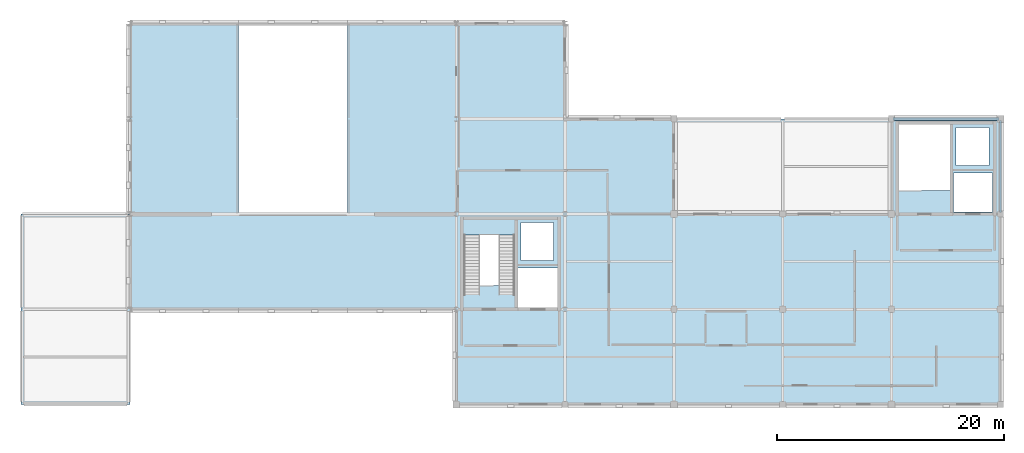
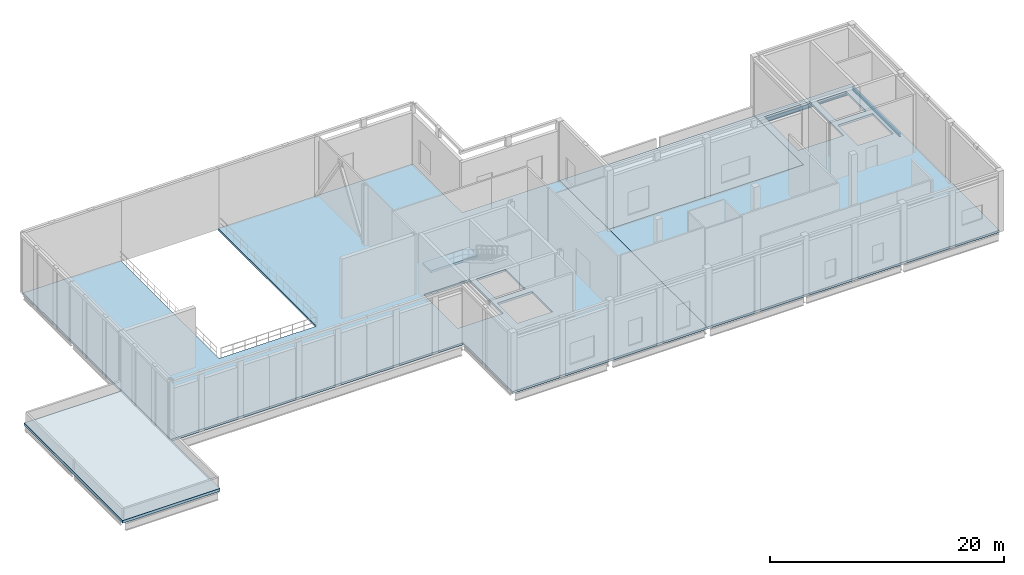
# One storey, part 3 of 9: 5 slabs, 2 beams, 1 element without a shape of its own.
"""IFC4 building model written with IfcOpenShell, lengths in metres."""

from ifc_helpers import new_model, si_unit, direction, frame, origin, origin_2d, place, context, subcontext, project, spatial, polyline, i_section, outline, extrude, material, layer, layer_set, material_profile, profile_set, type_object, element, aggregate, save


model = new_model("IFC4")

# Units and contexts
model_context = context("Model", 3, precision=1e-05, world=origin(), true_north=direction((0.0, 1.0)))
body_context = subcontext(model_context, "Body", "Model", "MODEL_VIEW")
ifc_project = project(units=[si_unit("LENGTHUNIT", "METRE"), si_unit("AREAUNIT", "SQUARE_METRE"), si_unit("VOLUMEUNIT", "CUBIC_METRE"), si_unit("PLANEANGLEUNIT", "RADIAN"), si_unit("MASSUNIT", "GRAM", prefix="KILO")], contexts=[model_context])

# Site, building, storey
site_placement = place(None, origin())
site = spatial("IfcSite", under=ifc_project, at=site_placement, CompositionType="ELEMENT")
building_placement = place(site_placement, origin())
building = spatial("IfcBuilding", under=site, at=building_placement, Name="Lornevale Opera House", CompositionType="ELEMENT")
storey_placement = place(building_placement, frame((0.0, 0.0, 24.60009765625)))
storey = spatial("IfcBuildingStorey", under=building, at=storey_placement, Name="L06", CompositionType="ELEMENT", Elevation=24.60009765625)

# Beams
ifc_material_1 = material(Name="Structural Steel CSA G40.21 Grade 350W (350 MPa)", Category="steel")
ifc_material_profile_1 = material_profile(ifc_material_1, i_section(OverallWidth=0.25390625, OverallDepth=0.68798828125, WebThickness=0.01318359375, FlangeThickness=0.02099609375, at=origin_2d()), Name="W690x152")
ifc_profile_set_1 = profile_set([ifc_material_profile_1], Name="Structural Steel CSA G40.21 Grade 350W (350 MPa)")
beam_type_1 = type_object("IfcBeamType", Name="Steel Foyer Beam W690x152", PredefinedType="USERDEFINED", material=ifc_profile_set_1)
beam_1_placement = place(storey_placement, frame((134.53662109375, 75.60009765625, -0.649169921875), z_axis=(1.0, 0.0, 0.0), x_axis=(0.0, 1.0, 0.0)))
element("IfcBeam", 1, at=beam_1_placement, inside=storey, type_object=beam_type_1, Name="Steel Foyer Beam W690x152 2852", ObjectType="GIRDER", PredefinedType="USERDEFINED", context=body_context, shape_type="SweptSolid", body=[
    extrude(i_section(OverallWidth=0.25390625, OverallDepth=0.68798828125, WebThickness=0.01318359375, FlangeThickness=0.02099609375, at=origin_2d()), origin(), (0.0, 0.0, 1.0), 9.326904296875),
])
ifc_material_profile_2 = material_profile(ifc_material_1, i_section(OverallWidth=0.1669921875, OverallDepth=0.31689453125, WebThickness=0.007568359375, FlangeThickness=0.01318359375, at=origin_2d()), Name="W310x52")
ifc_profile_set_2 = profile_set([ifc_material_profile_2], Name="Structural Steel CSA G40.21 Grade 350W (350 MPa)")
beam_type_2 = type_object("IfcBeamType", Name="Steel Spandrel Beam W310x52", PredefinedType="SPANDREL", material=ifc_profile_set_2)
beam_2_placement = place(storey_placement, frame((144.0, 67.333984375, -0.3935546875), z_axis=(0.0, 1.0, 0.0), x_axis=(-1.0, 0.0, 0.0)))
element("IfcBeam", 2, at=beam_2_placement, inside=storey, type_object=beam_type_2, Name="Steel Spandrel Beam W310x52 2878", PredefinedType="SPANDREL", context=body_context, shape_type="SweptSolid", body=[
    extrude(i_section(OverallWidth=0.1669921875, OverallDepth=0.31689453125, WebThickness=0.007568359375, FlangeThickness=0.01318359375, at=origin_2d()), origin(), (0.0, 0.0, 1.0), 8.132080078125),
])

# Slabs
ifc_material_2 = material(Name="Concrete 35 MPa (CSA A23.1 N)", Category="concrete")
ifc_layer_1 = layer(ifc_material_2, 0.219970703125)
ifc_layer_set_1 = layer_set([ifc_layer_1], Name="Concrete 35 MPa (CSA A23.1 N)")
slab_type_1 = type_object("IfcSlabType", Name="Gridiron Composite Deck Slab 220", PredefinedType="FLOOR", material=ifc_layer_set_1)
slab_1_placement = place(storey_placement, frame((0.0, 0.0, -0.22021484375)))
element("IfcSlab", 3, at=slab_1_placement, inside=storey, type_object=slab_type_1, Name="Gridiron Composite Deck Slab 220 SL-061", PredefinedType="FLOOR", context=body_context, shape_type="SweptSolid", body=[
    extrude(outline(polyline([(67.199951171875, 75.60009765625), (67.199951171875, 84.0), (76.800048828125, 84.0), (76.800048828125, 75.60009765625), (76.800048828125, 67.199951171875), (86.39990234375, 67.199951171875), (86.39990234375, 75.60009765625), (86.39990234375, 84.0), (96.0, 84.0), (105.60009765625, 84.0), (105.60009765625, 75.60009765625), (115.199951171875, 75.60009765625), (115.199951171875, 67.199951171875), (115.199951171875, 58.800048828125), (115.199951171875, 50.39990234375), (105.60009765625, 50.39990234375), (96.0, 50.39990234375), (96.0, 58.800048828125), (86.39990234375, 58.800048828125), (76.800048828125, 58.800048828125), (67.199951171875, 58.800048828125), (67.199951171875, 67.199951171875), (67.199951171875, 75.60009765625)]), holes=[polyline([(101.4599609375, 58.97998046875), (104.919921875, 58.97998046875), (104.919921875, 62.43994140625), (101.4599609375, 62.43994140625), (101.4599609375, 58.97998046875)]), polyline([(96.659912109375, 60.8798828125), (101.139892578125, 60.8798828125), (101.139892578125, 66.679931640625), (96.659912109375, 66.679931640625), (96.659912109375, 60.8798828125)]), polyline([(101.699951171875, 63.10009765625), (104.60009765625, 63.10009765625), (104.60009765625, 66.43994140625), (101.699951171875, 66.43994140625), (101.699951171875, 63.10009765625)])]), origin(), (0.0, 0.0, 1.0), 0.22021484375),
])
slab_2_placement = place(storey_placement, frame((0.0, 0.0, -0.22021484375)))
element("IfcSlab", 4, at=slab_2_placement, inside=storey, type_object=slab_type_1, Name="Gridiron Composite Deck Slab 220 SL-062", PredefinedType="FLOOR", context=body_context, shape_type="SweptSolid", body=[
    extrude(outline(polyline([(115.199951171875, 58.800048828125), (115.199951171875, 67.199951171875), (124.800048828125, 67.199951171875), (134.39990234375, 67.199951171875), (134.39990234375, 75.60009765625), (144.0, 75.60009765625), (144.0, 67.199951171875), (144.0, 58.800048828125), (144.0, 50.39990234375), (134.39990234375, 50.39990234375), (124.800048828125, 50.39990234375), (115.199951171875, 50.39990234375), (115.199951171875, 58.800048828125)]), holes=[polyline([(139.860107421875, 67.3798828125), (143.320068359375, 67.3798828125), (143.320068359375, 70.840087890625), (139.860107421875, 70.840087890625), (139.860107421875, 67.3798828125)]), polyline([(135.06005859375, 69.280029296875), (139.5400390625, 69.280029296875), (139.5400390625, 75.080078125), (135.06005859375, 75.080078125), (135.06005859375, 69.280029296875)]), polyline([(140.10009765625, 71.5), (143.0, 71.5), (143.0, 74.840087890625), (140.10009765625, 74.840087890625), (140.10009765625, 71.5)])]), origin(), (0.0, 0.0, 1.0), 0.22021484375),
])

# Stair, slab
ifc_layer_2 = layer(ifc_material_2, 6.60009765625)
ifc_layer_set_2 = layer_set([ifc_layer_2], Name="Concrete 35 MPa (CSA A23.1 N)")
stair_type = type_object("IfcStairType", Name="Fly Tower Crown Stair 6600-W1400", PredefinedType="TWO_STRAIGHT_RUN_STAIR", material=ifc_layer_set_2)
stair_placement = place(storey_placement, origin())
stair = element("IfcStair", 5, at=stair_placement, inside=storey, type_object=stair_type, Name="Stagehouse Firefighter Core West Stair ST-27 (L06-RF)", PredefinedType="TWO_STRAIGHT_RUN_STAIR")
ifc_layer_3 = layer(ifc_material_2, 0.219970703125)
ifc_layer_set_3 = layer_set([ifc_layer_3], Name="Concrete 35 MPa (CSA A23.1 N)")
slab_type_2 = type_object("IfcSlabType", Name="Stair Half-Landing Slab 220", PredefinedType="LANDING", material=ifc_layer_set_3)
slab_3_placement = place(storey_placement, frame((0.0, 0.0, 3.079833984375)))
slab_3 = element("IfcSlab", 6, at=slab_3_placement, type_object=slab_type_2, Name="ST-27 Half-Landing SL-LND-027", PredefinedType="LANDING", context=body_context, shape_type="SweptSolid", body=[
    extrude(outline(polyline([(96.60009765625, 65.340087890625), (101.199951171875, 65.340087890625), (101.199951171875, 66.780029296875), (96.60009765625, 66.780029296875), (96.60009765625, 65.340087890625)])), origin(), (0.0, 0.0, 1.0), 0.219970703125),
])
aggregate(stair, [slab_3])

# Slabs
ifc_layer_4 = layer(ifc_material_2, 0.2900390625)
ifc_layer_set_4 = layer_set([ifc_layer_4], Name="Concrete 35 MPa (CSA A23.1 N)")
slab_type_3 = type_object("IfcSlabType", Name="Vegetated Green Roof Slab 290", PredefinedType="ROOF", material=ifc_layer_set_4)
slab_4_placement = place(storey_placement, frame((0.0, 0.0, -0.2900390625)))
element("IfcSlab", 7, at=slab_4_placement, inside=storey, type_object=slab_type_3, Name="Unoccupied Maintenance Vegetated Green Roof Slab SL-085", PredefinedType="ROOF", context=body_context, shape_type="SweptSolid", body=[
    extrude(outline(polyline([(57.60009765625, 50.39990234375), (57.60009765625, 58.800048828125), (57.60009765625, 67.199951171875), (67.199951171875, 67.199951171875), (67.199951171875, 58.800048828125), (67.199951171875, 50.39990234375), (57.60009765625, 50.39990234375)])), origin(), (0.0, 0.0, 1.0), 0.2900390625),
])
slab_5_placement = place(storey_placement, frame((0.0, 0.0, -0.2900390625)))
element("IfcSlab", 8, at=slab_5_placement, inside=storey, type_object=slab_type_3, Name="Unoccupied Maintenance Vegetated Green Roof Slab SL-086", PredefinedType="ROOF", context=body_context, shape_type="SweptSolid", body=[
    extrude(outline(polyline([(115.199951171875, 75.60009765625), (124.800048828125, 75.60009765625), (134.39990234375, 75.60009765625), (134.39990234375, 67.199951171875), (124.800048828125, 67.199951171875), (115.199951171875, 67.199951171875), (115.199951171875, 75.60009765625)])), origin(), (0.0, 0.0, 1.0), 0.2900390625),
])

save(model, "model.ifc")
